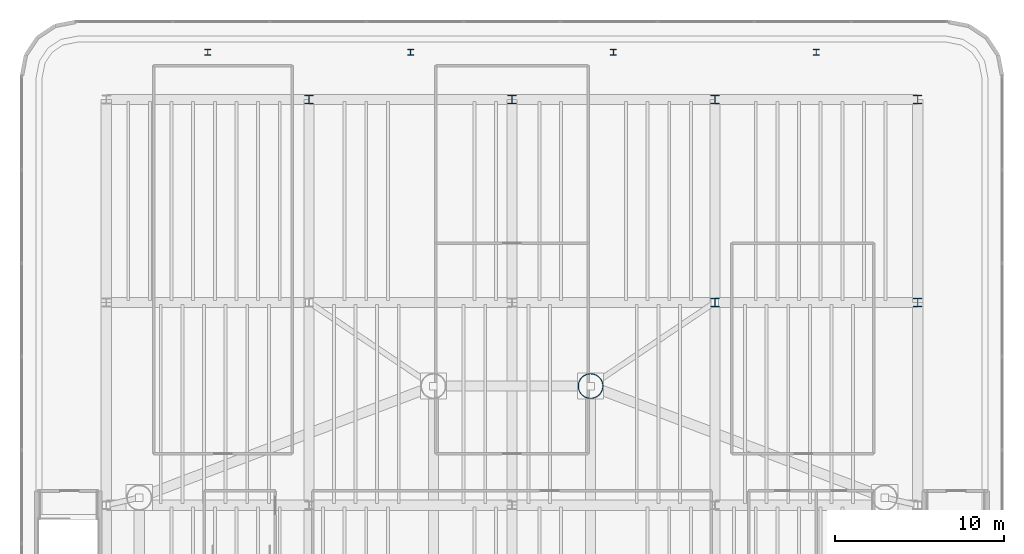
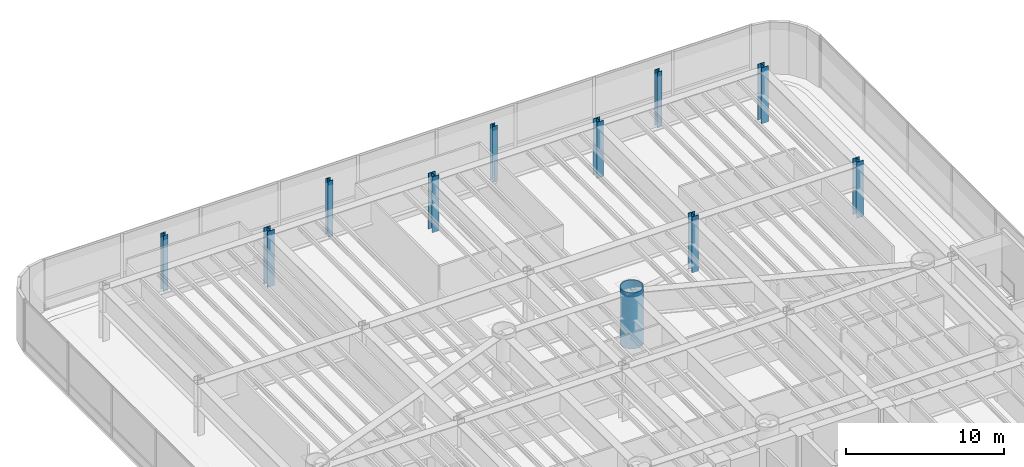
# One storey, part 2 of 18: 11 columns.
"""IFC4 building model written with IfcOpenShell, lengths in metres."""

from ifc_helpers import new_model, si_unit, direction, frame, origin, origin_2d, place, context, subcontext, project, spatial, hollow_circle, i_section, extrude, source, transform, mapped, material, material_profile, profile_set, type_object, element, save


model = new_model("IFC4")

# Units and contexts
model_context = context("Model", 3, precision=1e-05, world=origin(), true_north=direction((0.0, 1.0)))
body_context = subcontext(model_context, "Body", "Model", "MODEL_VIEW")
ifc_project = project(units=[si_unit("LENGTHUNIT", "METRE"), si_unit("AREAUNIT", "SQUARE_METRE"), si_unit("VOLUMEUNIT", "CUBIC_METRE"), si_unit("PLANEANGLEUNIT", "RADIAN"), si_unit("MASSUNIT", "GRAM", prefix="KILO")], contexts=[model_context])

# Site, building, storey
site_placement = place(None, origin())
site = spatial("IfcSite", under=ifc_project, at=site_placement, CompositionType="ELEMENT")
building_placement = place(site_placement, origin())
building = spatial("IfcBuilding", under=site, at=building_placement, Name="Brelvock Crest Care Tower", CompositionType="ELEMENT")
storey_placement = place(building_placement, frame((0.0, 0.0, 22.679931640625)))
storey = spatial("IfcBuildingStorey", under=building, at=storey_placement, Name="L05", CompositionType="ELEMENT", Elevation=22.679931640625)

# Columns
ifc_material = material(Name="Steel Grade 350", Category="steel")
ifc_material_profile_1 = material_profile(ifc_material, i_section(OverallWidth=0.5, OverallDepth=0.5, WebThickness=0.02197265625, FlangeThickness=0.034912109375, at=origin_2d()), Name="500WC340")
ifc_profile_set_1 = profile_set([ifc_material_profile_1], Name="Steel Grade 350")
column_type_1 = type_object("IfcColumnType", Name="COL-PC2", PredefinedType="COLUMN", material=ifc_profile_set_1)
shared_shape_1 = source(origin(), body_context, "Body", "SweptSolid", [
    extrude(i_section(OverallWidth=0.5, OverallDepth=0.5, WebThickness=0.02197265625, FlangeThickness=0.034912109375, at=origin_2d()), origin(), (0.0, 0.0, 1.0), 4.320068359375),
])
for number, where, z_axis, x_axis, name in (
    (1, (48.0, 42.0, 0.0), (0.0, 0.0, 1.0), (1.0, 0.0, 0.0), "L05 Podium Column PC-13"),
    (2, (60.0, 42.0, 0.0), (0.0, 0.0, 1.0), (1.0, 0.0, 0.0), "L05 Podium Column PC-14"),
    (3, (24.0, 54.0, 0.0), (0.0, 0.0, 1.0), (1.0, 0.0, 0.0), "L05 Podium Column PC-16"),
    (4, (36.0, 54.0, 0.0), (0.0, 0.0, 1.0), (1.0, 0.0, 0.0), "L05 Podium Column PC-17"),
    (5, (48.0, 54.0, 0.0), (0.0, 0.0, 1.0), (1.0, 0.0, 0.0), "L05 Podium Column PC-18"),
    (6, (60.0, 54.0, 0.0), (0.0, 0.0, 1.0), (1.0, 0.0, 0.0), "L05 Podium Column PC-19"),
):
    element("IfcColumn", number, at=place(storey_placement, frame(where, z_axis=z_axis, x_axis=x_axis)), inside=storey, type_object=column_type_1, Name=name, PredefinedType="COLUMN", context=body_context, shape_type="MappedRepresentation", body=[
        mapped(shared_shape_1, transform((0.0, 0.0, 0.0), x_axis=(1.0, 0.0, 0.0), y_axis=(0.0, 1.0, 0.0), z_axis=(0.0, 0.0, 1.0), scale=1.0)),
    ])
ifc_material_profile_2 = material_profile(ifc_material, i_section(OverallWidth=0.35009765625, OverallDepth=0.35009765625, WebThickness=0.02001953125, FlangeThickness=0.028076171875, at=origin_2d()), Name="350WC197")
ifc_profile_set_2 = profile_set([ifc_material_profile_2], Name="Steel Grade 350")
column_type_2 = type_object("IfcColumnType", Name="COL-PC4", PredefinedType="COLUMN", material=ifc_profile_set_2)
shared_shape_2 = source(origin(), body_context, "Body", "SweptSolid", [
    extrude(i_section(OverallWidth=0.35009765625, OverallDepth=0.35009765625, WebThickness=0.02001953125, FlangeThickness=0.028076171875, at=origin_2d()), origin(), (0.0, 0.0, 1.0), 4.320068359375),
])
for number, where, z_axis, x_axis, name in (
    (7, (18.0, 56.800048828125, 0.0), (0.0, 0.0, 1.0), (1.0, 0.0, 0.0), "L05 Podium North Column PCN-1"),
    (8, (30.0, 56.800048828125, 0.0), (0.0, 0.0, 1.0), (1.0, 0.0, 0.0), "L05 Podium North Column PCN-2"),
    (9, (42.0, 56.800048828125, 0.0), (0.0, 0.0, 1.0), (1.0, 0.0, 0.0), "L05 Podium North Column PCN-3"),
    (10, (54.0, 56.800048828125, 0.0), (0.0, 0.0, 1.0), (1.0, 0.0, 0.0), "L05 Podium North Column PCN-4"),
):
    element("IfcColumn", number, at=place(storey_placement, frame(where, z_axis=z_axis, x_axis=x_axis)), inside=storey, type_object=column_type_2, Name=name, PredefinedType="COLUMN", context=body_context, shape_type="MappedRepresentation", body=[
        mapped(shared_shape_2, transform((0.0, 0.0, 0.0), x_axis=(1.0, 0.0, 0.0), y_axis=(0.0, 1.0, 0.0), z_axis=(0.0, 0.0, 1.0), scale=1.0)),
    ])
ifc_material_profile_3 = material_profile(ifc_material, hollow_circle(Radius=0.75, WallThickness=0.050048828125, at=origin_2d()), Name="CFT1500x50")
ifc_profile_set_3 = profile_set([ifc_material_profile_3], Name="Steel Grade 350")
column_type_3 = type_object("IfcColumnType", Name="COL-MC1", PredefinedType="COLUMN", material=ifc_profile_set_3)
shared_shape_3 = source(origin(), body_context, "Body", "SweptSolid", [
    extrude(hollow_circle(Radius=0.75, WallThickness=0.050048828125, at=origin_2d()), origin(), (0.0, 0.0, 1.0), 4.320068359375),
])
column_placement = place(storey_placement, frame((40.64990234375, 37.050048828125, 0.0), z_axis=(0.0, 0.0, 1.0), x_axis=(1.0, 0.0, 0.0)))
element("IfcColumn", 11, at=column_placement, inside=storey, type_object=column_type_3, Name="L05 Tower Column M8", PredefinedType="COLUMN", context=body_context, shape_type="MappedRepresentation", body=[
    mapped(shared_shape_3, transform((0.0, 0.0, 0.0), x_axis=(1.0, 0.0, 0.0), y_axis=(0.0, 1.0, 0.0), z_axis=(0.0, 0.0, 1.0), scale=1.0)),
])

save(model, "model.ifc")
